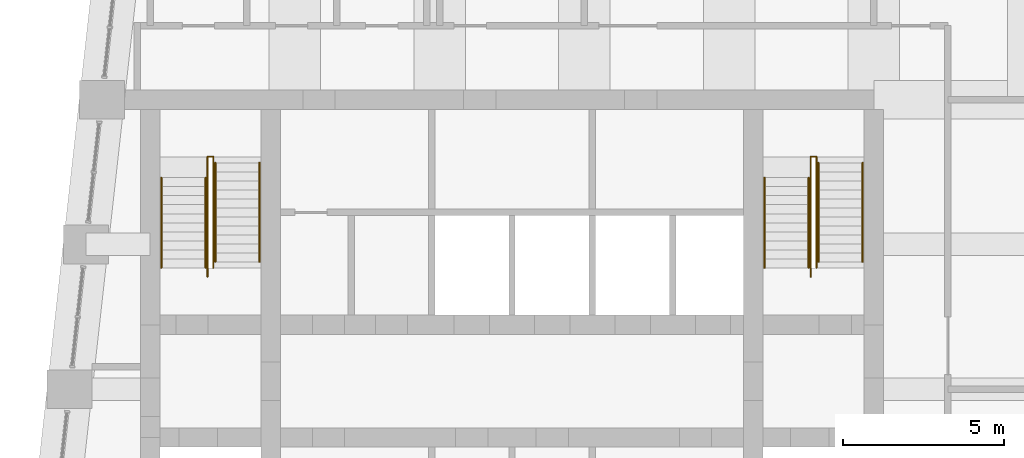
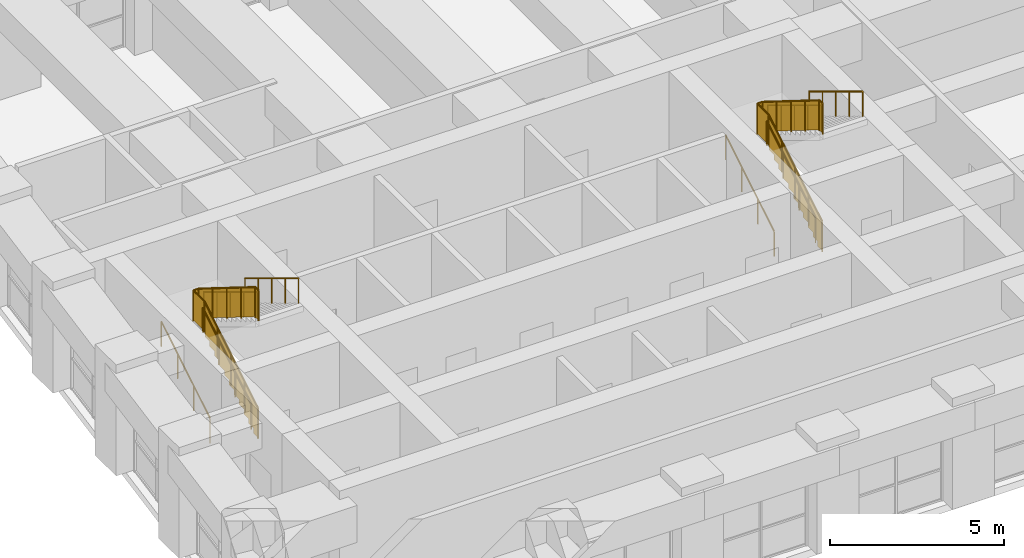
# One storey, part 15 of 15: 12 railings.
"""IFC4 building model written with IfcOpenShell, lengths in metres."""

from ifc_helpers import new_model, si_unit, direction, frame, origin, origin_2d, place, context, subcontext, project, spatial, polyline, circle, outline, extrude, material, type_object, element, save


model = new_model("IFC4")

# Units and contexts
model_context = context("Model", 3, precision=1e-05, world=origin(), true_north=direction((0.0, 1.0)))
body_context = subcontext(model_context, "Body", "Model", "MODEL_VIEW")
ifc_project = project(units=[si_unit("LENGTHUNIT", "METRE"), si_unit("AREAUNIT", "SQUARE_METRE"), si_unit("VOLUMEUNIT", "CUBIC_METRE"), si_unit("PLANEANGLEUNIT", "RADIAN"), si_unit("MASSUNIT", "GRAM", prefix="KILO")], contexts=[model_context])

# Site, building, storey
site_placement = place(None, origin())
site = spatial("IfcSite", under=ifc_project, at=site_placement, CompositionType="ELEMENT")
building_placement = place(site_placement, origin())
building = spatial("IfcBuilding", under=site, at=building_placement, Name="Kilele Tower Hotel", CompositionType="ELEMENT")
storey_placement = place(building_placement, frame((0.0, 0.0, 285.800048828125)))
storey = spatial("IfcBuildingStorey", under=building, at=storey_placement, Name="L73", CompositionType="ELEMENT", Elevation=285.800048828125)

# Railings
ifc_material_1 = material(Name="Steel handrail", Category="steel")
railing_type_1 = type_object("IfcRailingType", Name="Handrail 900", PredefinedType="HANDRAIL", material=ifc_material_1)
for number, where, name in (
    (1, (13.85009765625, 21.77490234375, 0.16943359375), "Handrail ST1 flight 1"),
    (2, (15.22509765625, 21.77490234375, 0.16943359375), "Handrail ST1 flight 1"),
):
    element("IfcRailing", number, at=place(storey_placement, frame(where)), inside=storey, type_object=railing_type_1, Name=name, PredefinedType="HANDRAIL", context=body_context, shape_type="SweptSolid", body=[
        extrude(circle(Radius=0.02490234375, at=origin_2d()), frame((0.0, 0.0, 0.875), z_axis=(0.0, 0.855360072898, 0.518033923302), x_axis=(-1.0, 0.0, 0.0)), (0.0, 0.0, 1.0), 3.2734375),
        extrude(circle(Radius=0.02001953125, at=origin_2d()), origin(), (0.0, 0.0, 1.0), 0.849853515625),
        extrude(circle(Radius=0.02001953125, at=origin_2d()), frame((0.0, 0.933349609375, 0.565185546875)), (0.0, 0.0, 1.0), 0.849853515625),
        extrude(circle(Radius=0.02001953125, at=origin_2d()), frame((0.0, 1.86669921875, 1.130615234375)), (0.0, 0.0, 1.0), 0.849853515625),
        extrude(circle(Radius=0.02001953125, at=origin_2d()), frame((0.0, 2.800048828125, 1.69580078125)), (0.0, 0.0, 1.0), 0.849853515625),
    ])
for number, where, name in (
    (3, (15.52490234375, 25.0400390625, 2.03466796875), "Handrail ST1 flight 2"),
    (4, (16.89990234375, 25.0400390625, 2.03466796875), "Handrail ST1 flight 2"),
):
    element("IfcRailing", number, at=place(storey_placement, frame(where)), inside=storey, type_object=railing_type_1, Name=name, PredefinedType="HANDRAIL", context=body_context, shape_type="SweptSolid", body=[
        extrude(circle(Radius=0.02490234375, at=origin_2d()), frame((0.0, 0.0, 0.875), z_axis=(0.0, -0.855379917629, 0.518001154937), x_axis=(1.0, 0.0, 0.0)), (0.0, 0.0, 1.0), 3.600830078125),
        extrude(circle(Radius=0.02001953125, at=origin_2d()), origin(), (0.0, 0.0, 1.0), 0.849853515625),
        extrude(circle(Radius=0.02001953125, at=origin_2d()), frame((0.0, -0.77001953125, 0.46630859375)), (0.0, 0.0, 1.0), 0.849853515625),
        extrude(circle(Radius=0.02001953125, at=origin_2d()), frame((0.0, -1.5400390625, 0.9326171875)), (0.0, 0.0, 1.0), 0.849853515625),
        extrude(circle(Radius=0.02001953125, at=origin_2d()), frame((0.0, -2.31005859375, 1.39892578125)), (0.0, 0.0, 1.0), 0.849853515625),
        extrude(circle(Radius=0.02001953125, at=origin_2d()), frame((0.0, -3.080078125, 1.865234375)), (0.0, 0.0, 1.0), 0.849853515625),
    ])
for number, where, name in (
    (5, (32.60009765625, 21.77490234375, 0.16943359375), "Handrail ST2 flight 1"),
    (6, (33.97509765625, 21.77490234375, 0.16943359375), "Handrail ST2 flight 1"),
):
    element("IfcRailing", number, at=place(storey_placement, frame(where)), inside=storey, type_object=railing_type_1, Name=name, PredefinedType="HANDRAIL", context=body_context, shape_type="SweptSolid", body=[
        extrude(circle(Radius=0.02490234375, at=origin_2d()), frame((0.0, 0.0, 0.875), z_axis=(0.0, 0.855360072898, 0.518033923302), x_axis=(-1.0, 0.0, 0.0)), (0.0, 0.0, 1.0), 3.2734375),
        extrude(circle(Radius=0.02001953125, at=origin_2d()), origin(), (0.0, 0.0, 1.0), 0.849853515625),
        extrude(circle(Radius=0.02001953125, at=origin_2d()), frame((0.0, 0.933349609375, 0.565185546875)), (0.0, 0.0, 1.0), 0.849853515625),
        extrude(circle(Radius=0.02001953125, at=origin_2d()), frame((0.0, 1.86669921875, 1.130615234375)), (0.0, 0.0, 1.0), 0.849853515625),
        extrude(circle(Radius=0.02001953125, at=origin_2d()), frame((0.0, 2.800048828125, 1.69580078125)), (0.0, 0.0, 1.0), 0.849853515625),
    ])
for number, where, name in (
    (7, (34.27490234375, 25.0400390625, 2.03466796875), "Handrail ST2 flight 2"),
    (8, (35.64990234375, 25.0400390625, 2.03466796875), "Handrail ST2 flight 2"),
):
    element("IfcRailing", number, at=place(storey_placement, frame(where)), inside=storey, type_object=railing_type_1, Name=name, PredefinedType="HANDRAIL", context=body_context, shape_type="SweptSolid", body=[
        extrude(circle(Radius=0.02490234375, at=origin_2d()), frame((0.0, 0.0, 0.875), z_axis=(0.0, -0.855379917629, 0.518001154937), x_axis=(1.0, 0.0, 0.0)), (0.0, 0.0, 1.0), 3.600830078125),
        extrude(circle(Radius=0.02001953125, at=origin_2d()), origin(), (0.0, 0.0, 1.0), 0.849853515625),
        extrude(circle(Radius=0.02001953125, at=origin_2d()), frame((0.0, -0.77001953125, 0.46630859375)), (0.0, 0.0, 1.0), 0.849853515625),
        extrude(circle(Radius=0.02001953125, at=origin_2d()), frame((0.0, -1.5400390625, 0.9326171875)), (0.0, 0.0, 1.0), 0.849853515625),
        extrude(circle(Radius=0.02001953125, at=origin_2d()), frame((0.0, -2.31005859375, 1.39892578125)), (0.0, 0.0, 1.0), 0.849853515625),
        extrude(circle(Radius=0.02001953125, at=origin_2d()), frame((0.0, -3.080078125, 1.865234375)), (0.0, 0.0, 1.0), 0.849853515625),
    ])
ifc_material_2 = material(Name="Steel guard", Category="steel")
railing_type_2 = type_object("IfcRailingType", Name="Stair guard 1100", PredefinedType="GUARDRAIL", material=ifc_material_2)
railing_1_placement = place(storey_placement, frame((15.284912109375, 21.4951171875, 0.0)))
element("IfcRailing", 9, at=railing_1_placement, inside=storey, type_object=railing_type_2, Name="Stair well guard ST1 flight 1", PredefinedType="GUARDRAIL", context=body_context, shape_type="SweptSolid", body=[
    extrude(circle(Radius=0.02490234375, at=origin_2d()), frame((0.0, 0.0, 1.0751953125), z_axis=(0.0, 0.855361723277, 0.518031198243), x_axis=(-1.0, 0.0, 0.0)), (0.0, 0.0, 1.0), 3.6005859375),
    extrude(circle(Radius=0.02490234375, at=origin_2d()), frame((0.0, 3.079833984375, 2.9404296875), z_axis=(0.0, 1.0, 0.0), x_axis=(-1.0, 0.0, 0.0)), (0.0, 0.0, 1.0), 0.650146484375),
    extrude(circle(Radius=0.02490234375, at=origin_2d()), frame((0.0, 3.72998046875, 2.9404296875), z_axis=(1.0, 0.0, 0.0), x_axis=(0.0, 1.0, 0.0)), (0.0, 0.0, 1.0), 0.18017578125),
    extrude(circle(Radius=0.02490234375, at=origin_2d()), origin(), (0.0, 0.0, 1.0), 1.050048828125),
    extrude(circle(Radius=0.02490234375, at=origin_2d()), frame((0.0, 0.77001953125, 0.46630859375)), (0.0, 0.0, 1.0), 1.050048828125),
    extrude(circle(Radius=0.02490234375, at=origin_2d()), frame((0.0, 1.5400390625, 0.9326171875)), (0.0, 0.0, 1.0), 1.050048828125),
    extrude(circle(Radius=0.02490234375, at=origin_2d()), frame((0.0, 2.309814453125, 1.39892578125)), (0.0, 0.0, 1.0), 1.050048828125),
    extrude(circle(Radius=0.02490234375, at=origin_2d()), frame((0.0, 3.079833984375, 1.865234375)), (0.0, 0.0, 1.0), 1.050048828125),
    extrude(circle(Radius=0.02490234375, at=origin_2d()), frame((0.0, 3.72998046875, 1.865234375)), (0.0, 0.0, 1.0), 1.050048828125),
    extrude(circle(Radius=0.02490234375, at=origin_2d()), frame((0.18017578125, 3.72998046875, 1.865234375)), (0.0, 0.0, 1.0), 1.050048828125),
    extrude(outline(polyline([(0.012451171875, 0.030029296875), (0.25, 0.030029296875), (0.25, 0.19970703125), (0.530029296875, 0.19970703125), (0.530029296875, 0.369140625), (0.809814453125, 0.369140625), (0.809814453125, 0.538818359375), (1.08984375, 0.538818359375), (1.08984375, 0.708251953125), (1.369873046875, 0.708251953125), (1.369873046875, 0.8779296875), (1.64990234375, 0.8779296875), (1.64990234375, 1.04736328125), (1.929931640625, 1.04736328125), (1.929931640625, 1.217041015625), (2.2099609375, 1.217041015625), (2.2099609375, 1.386474609375), (2.48974609375, 1.386474609375), (2.48974609375, 1.55615234375), (2.769775390625, 1.55615234375), (2.769775390625, 1.7255859375), (3.0498046875, 1.7255859375), (3.0498046875, 1.895263671875), (3.0673828125, 1.895263671875), (3.0673828125, 2.903564453125), (0.012451171875, 1.053466796875), (0.012451171875, 0.030029296875)])), frame((-0.005859375, 0.0, 0.0), z_axis=(1.0, 0.0, 0.0), x_axis=(0.0, 1.0, 0.0)), (0.0, 0.0, 1.0), 0.011962890625),
    extrude(outline(polyline([(0.012451171875, 0.030029296875), (0.6376953125, 0.030029296875), (0.6376953125, 1.050048828125), (0.012451171875, 1.050048828125), (0.012451171875, 0.030029296875)])), frame((-0.005859375, 3.079833984375, 1.865234375), z_axis=(1.0, 0.0, 0.0), x_axis=(0.0, 1.0, 0.0)), (0.0, 0.0, 1.0), 0.011962890625),
    extrude(outline(polyline([(0.012451171875, 0.030029296875), (0.18017578125, 0.030029296875), (0.18017578125, 1.050048828125), (0.012451171875, 1.050048828125), (0.012451171875, 0.030029296875)])), frame((0.0, 3.73583984375, 1.865234375), z_axis=(0.0, -1.0, 0.0), x_axis=(1.0, 0.0, 0.0)), (0.0, 0.0, 1.0), 0.011962890625),
])
railing_2_placement = place(storey_placement, frame((15.465087890625, 25.22509765625, 1.865234375)))
element("IfcRailing", 10, at=railing_2_placement, inside=storey, type_object=railing_type_2, Name="Stair well guard ST1 flight 2", PredefinedType="GUARDRAIL", context=body_context, shape_type="SweptSolid", body=[
    extrude(circle(Radius=0.02490234375, at=origin_2d()), frame((0.0, 0.0, 1.0751953125), z_axis=(0.0, -0.848703446432, 0.528869038624), x_axis=(1.0, 0.0, 0.0)), (0.0, 0.0, 1.0), 3.84716796875),
    extrude(circle(Radius=0.02490234375, at=origin_2d()), frame((0.0, -3.26513671875, 3.10986328125), z_axis=(0.0, -1.0, 0.0), x_axis=(1.0, 0.0, 0.0)), (0.0, 0.0, 1.0), 0.18505859375),
    extrude(circle(Radius=0.02490234375, at=origin_2d()), origin(), (0.0, 0.0, 1.0), 1.050048828125),
    extrude(circle(Radius=0.02490234375, at=origin_2d()), frame((0.0, -0.81640625, 0.5087890625)), (0.0, 0.0, 1.0), 1.050048828125),
    extrude(circle(Radius=0.02490234375, at=origin_2d()), frame((0.0, -1.632568359375, 1.017333984375)), (0.0, 0.0, 1.0), 1.050048828125),
    extrude(circle(Radius=0.02490234375, at=origin_2d()), frame((0.0, -2.44873046875, 1.52587890625)), (0.0, 0.0, 1.0), 1.050048828125),
    extrude(circle(Radius=0.02490234375, at=origin_2d()), frame((0.0, -3.26513671875, 2.03466796875)), (0.0, 0.0, 1.0), 1.050048828125),
    extrude(circle(Radius=0.02490234375, at=origin_2d()), frame((0.0, -3.4501953125, 2.03466796875)), (0.0, 0.0, 1.0), 1.050048828125),
    extrude(outline(polyline([(0.0, 0.030029296875), (3.252685546875, 2.056884765625), (3.252685546875, 3.072509765625), (0.0, 1.045654296875), (0.0, 0.030029296875)])), frame((0.005859375, 0.0, 0.0), z_axis=(-1.0, 0.0, 0.0), x_axis=(0.0, -1.0, 0.0)), (0.0, 0.0, 1.0), 0.011962890625),
    extrude(outline(polyline([(0.012451171875, 0.030029296875), (0.18505859375, 0.030029296875), (0.18505859375, 1.050048828125), (0.012451171875, 1.050048828125), (0.012451171875, 0.030029296875)])), frame((0.005859375, -3.26513671875, 2.03466796875), z_axis=(-1.0, 0.0, 0.0), x_axis=(0.0, -1.0, 0.0)), (0.0, 0.0, 1.0), 0.011962890625),
])
railing_3_placement = place(storey_placement, frame((34.034912109375, 21.4951171875, 0.0)))
element("IfcRailing", 11, at=railing_3_placement, inside=storey, type_object=railing_type_2, Name="Stair well guard ST2 flight 1", PredefinedType="GUARDRAIL", context=body_context, shape_type="SweptSolid", body=[
    extrude(circle(Radius=0.02490234375, at=origin_2d()), frame((0.0, 0.0, 1.0751953125), z_axis=(0.0, 0.855361723277, 0.518031198243), x_axis=(-1.0, 0.0, 0.0)), (0.0, 0.0, 1.0), 3.6005859375),
    extrude(circle(Radius=0.02490234375, at=origin_2d()), frame((0.0, 3.079833984375, 2.9404296875), z_axis=(0.0, 1.0, 0.0), x_axis=(-1.0, 0.0, 0.0)), (0.0, 0.0, 1.0), 0.650146484375),
    extrude(circle(Radius=0.02490234375, at=origin_2d()), frame((0.0, 3.72998046875, 2.9404296875), z_axis=(1.0, 0.0, 0.0), x_axis=(0.0, 1.0, 0.0)), (0.0, 0.0, 1.0), 0.18017578125),
    extrude(circle(Radius=0.02490234375, at=origin_2d()), origin(), (0.0, 0.0, 1.0), 1.050048828125),
    extrude(circle(Radius=0.02490234375, at=origin_2d()), frame((0.0, 0.77001953125, 0.46630859375)), (0.0, 0.0, 1.0), 1.050048828125),
    extrude(circle(Radius=0.02490234375, at=origin_2d()), frame((0.0, 1.5400390625, 0.9326171875)), (0.0, 0.0, 1.0), 1.050048828125),
    extrude(circle(Radius=0.02490234375, at=origin_2d()), frame((0.0, 2.309814453125, 1.39892578125)), (0.0, 0.0, 1.0), 1.050048828125),
    extrude(circle(Radius=0.02490234375, at=origin_2d()), frame((0.0, 3.079833984375, 1.865234375)), (0.0, 0.0, 1.0), 1.050048828125),
    extrude(circle(Radius=0.02490234375, at=origin_2d()), frame((0.0, 3.72998046875, 1.865234375)), (0.0, 0.0, 1.0), 1.050048828125),
    extrude(circle(Radius=0.02490234375, at=origin_2d()), frame((0.18017578125, 3.72998046875, 1.865234375)), (0.0, 0.0, 1.0), 1.050048828125),
    extrude(outline(polyline([(0.012451171875, 0.030029296875), (0.25, 0.030029296875), (0.25, 0.19970703125), (0.530029296875, 0.19970703125), (0.530029296875, 0.369140625), (0.809814453125, 0.369140625), (0.809814453125, 0.538818359375), (1.08984375, 0.538818359375), (1.08984375, 0.708251953125), (1.369873046875, 0.708251953125), (1.369873046875, 0.8779296875), (1.64990234375, 0.8779296875), (1.64990234375, 1.04736328125), (1.929931640625, 1.04736328125), (1.929931640625, 1.217041015625), (2.2099609375, 1.217041015625), (2.2099609375, 1.386474609375), (2.48974609375, 1.386474609375), (2.48974609375, 1.55615234375), (2.769775390625, 1.55615234375), (2.769775390625, 1.7255859375), (3.0498046875, 1.7255859375), (3.0498046875, 1.895263671875), (3.0673828125, 1.895263671875), (3.0673828125, 2.903564453125), (0.012451171875, 1.053466796875), (0.012451171875, 0.030029296875)])), frame((-0.005859375, 0.0, 0.0), z_axis=(1.0, 0.0, 0.0), x_axis=(0.0, 1.0, 0.0)), (0.0, 0.0, 1.0), 0.011962890625),
    extrude(outline(polyline([(0.012451171875, 0.030029296875), (0.6376953125, 0.030029296875), (0.6376953125, 1.050048828125), (0.012451171875, 1.050048828125), (0.012451171875, 0.030029296875)])), frame((-0.005859375, 3.079833984375, 1.865234375), z_axis=(1.0, 0.0, 0.0), x_axis=(0.0, 1.0, 0.0)), (0.0, 0.0, 1.0), 0.011962890625),
    extrude(outline(polyline([(0.012451171875, 0.030029296875), (0.18017578125, 0.030029296875), (0.18017578125, 1.050048828125), (0.012451171875, 1.050048828125), (0.012451171875, 0.030029296875)])), frame((0.0, 3.73583984375, 1.865234375), z_axis=(0.0, -1.0, 0.0), x_axis=(1.0, 0.0, 0.0)), (0.0, 0.0, 1.0), 0.011962890625),
])
railing_4_placement = place(storey_placement, frame((34.215087890625, 25.22509765625, 1.865234375)))
element("IfcRailing", 12, at=railing_4_placement, inside=storey, type_object=railing_type_2, Name="Stair well guard ST2 flight 2", PredefinedType="GUARDRAIL", context=body_context, shape_type="SweptSolid", body=[
    extrude(circle(Radius=0.02490234375, at=origin_2d()), frame((0.0, 0.0, 1.0751953125), z_axis=(0.0, -0.848703446432, 0.528869038624), x_axis=(1.0, 0.0, 0.0)), (0.0, 0.0, 1.0), 3.84716796875),
    extrude(circle(Radius=0.02490234375, at=origin_2d()), frame((0.0, -3.26513671875, 3.10986328125), z_axis=(0.0, -1.0, 0.0), x_axis=(1.0, 0.0, 0.0)), (0.0, 0.0, 1.0), 0.18505859375),
    extrude(circle(Radius=0.02490234375, at=origin_2d()), origin(), (0.0, 0.0, 1.0), 1.050048828125),
    extrude(circle(Radius=0.02490234375, at=origin_2d()), frame((0.0, -0.81640625, 0.5087890625)), (0.0, 0.0, 1.0), 1.050048828125),
    extrude(circle(Radius=0.02490234375, at=origin_2d()), frame((0.0, -1.632568359375, 1.017333984375)), (0.0, 0.0, 1.0), 1.050048828125),
    extrude(circle(Radius=0.02490234375, at=origin_2d()), frame((0.0, -2.44873046875, 1.52587890625)), (0.0, 0.0, 1.0), 1.050048828125),
    extrude(circle(Radius=0.02490234375, at=origin_2d()), frame((0.0, -3.26513671875, 2.03466796875)), (0.0, 0.0, 1.0), 1.050048828125),
    extrude(circle(Radius=0.02490234375, at=origin_2d()), frame((0.0, -3.4501953125, 2.03466796875)), (0.0, 0.0, 1.0), 1.050048828125),
    extrude(outline(polyline([(0.0, 0.030029296875), (3.252685546875, 2.056884765625), (3.252685546875, 3.072509765625), (0.0, 1.045654296875), (0.0, 0.030029296875)])), frame((0.005859375, 0.0, 0.0), z_axis=(-1.0, 0.0, 0.0), x_axis=(0.0, -1.0, 0.0)), (0.0, 0.0, 1.0), 0.011962890625),
    extrude(outline(polyline([(0.012451171875, 0.030029296875), (0.18505859375, 0.030029296875), (0.18505859375, 1.050048828125), (0.012451171875, 1.050048828125), (0.012451171875, 0.030029296875)])), frame((0.005859375, -3.26513671875, 2.03466796875), z_axis=(-1.0, 0.0, 0.0), x_axis=(0.0, -1.0, 0.0)), (0.0, 0.0, 1.0), 0.011962890625),
])

save(model, "model.ifc")
